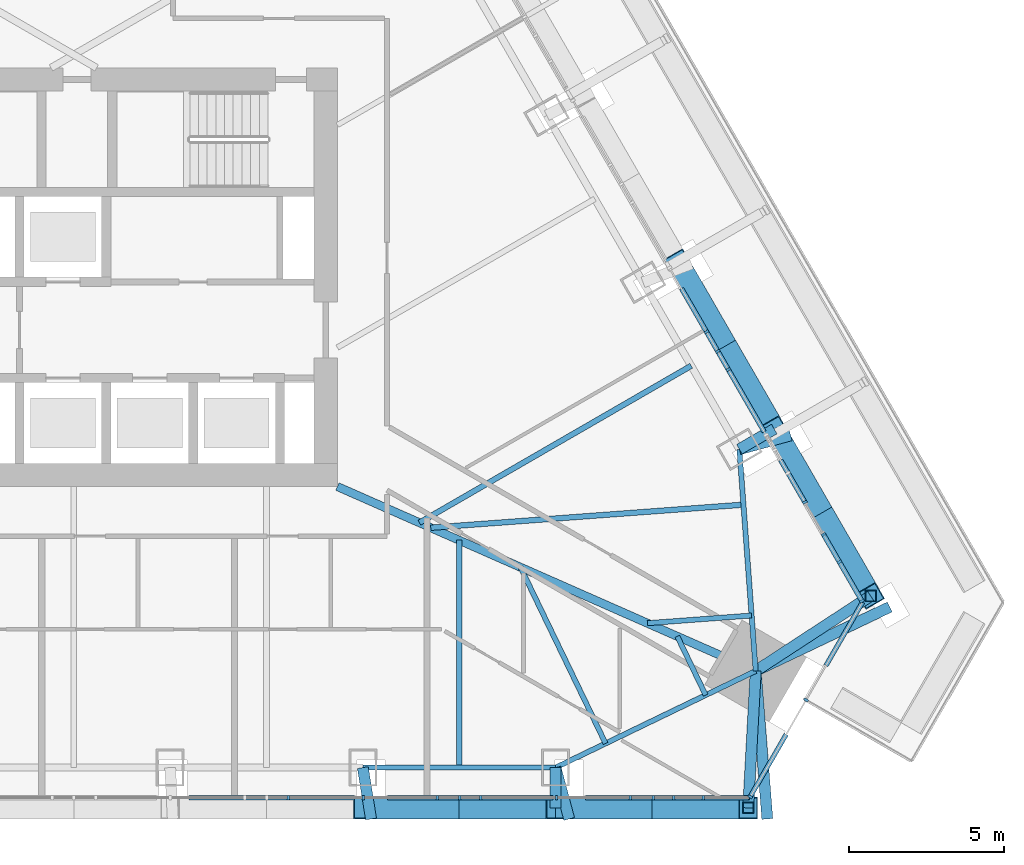
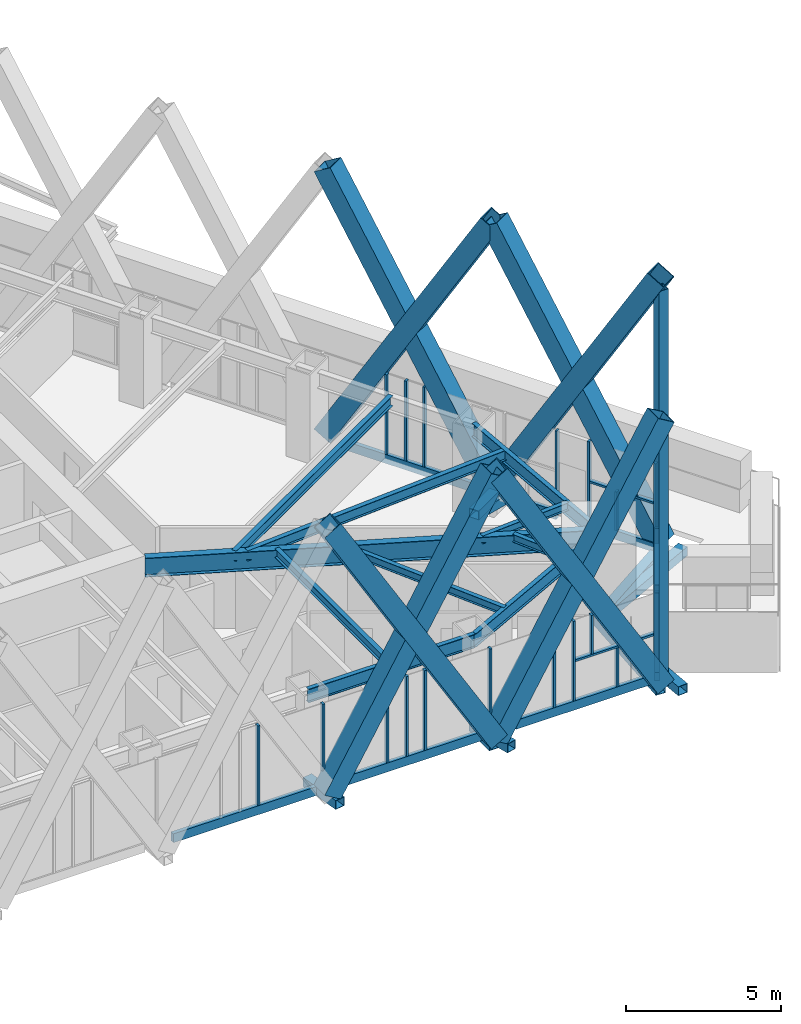
# One storey, part 5 of 23: 48 members, 10 beams, 3 elements without a shape of their own.
"""IFC4 building model written with IfcOpenShell, lengths in metres."""

from ifc_helpers import new_model, si_unit, direction, frame, origin, origin_2d, place, context, subcontext, project, spatial, rectangle, hollow_rectangle, i_section, extrude, material, layer, layer_set, material_profile, profile_set, type_object, element, aggregate, save


model = new_model("IFC4")

# Units and contexts
model_context = context("Model", 3, precision=1e-05, world=origin(), true_north=direction((0.0, 1.0)))
body_context = subcontext(model_context, "Body", "Model", "MODEL_VIEW")
ifc_project = project(units=[si_unit("LENGTHUNIT", "METRE"), si_unit("AREAUNIT", "SQUARE_METRE"), si_unit("VOLUMEUNIT", "CUBIC_METRE"), si_unit("PLANEANGLEUNIT", "RADIAN"), si_unit("MASSUNIT", "GRAM", prefix="KILO")], contexts=[model_context])

# Site, building, storey
site_placement = place(None, origin())
site = spatial("IfcSite", under=ifc_project, at=site_placement, CompositionType="ELEMENT")
building_placement = place(site_placement, origin())
building = spatial("IfcBuilding", under=site, at=building_placement, Name="Firuza Gate Tower and Library", CompositionType="ELEMENT")
storey_placement = place(building_placement, frame((0.0, 0.0, 291.60009765625)))
storey = spatial("IfcBuildingStorey", under=building, at=storey_placement, Name="L70", CompositionType="ELEMENT", Elevation=291.60009765625)

# Members
ifc_material_1 = material(Name="Steel S355", Category="steel")
ifc_material_profile_1 = material_profile(ifc_material_1, hollow_rectangle(XDim=0.699951171875, YDim=0.699951171875, WallThickness=0.030029296875, at=origin_2d()))
ifc_profile_set_1 = profile_set([ifc_material_profile_1], Name="Steel S355")
member_type_1 = type_object("IfcMemberType", Name="BU700x700x30 Lattice brace", PredefinedType="BRACE", material=ifc_profile_set_1)
for number, where, z_axis, x_axis, name in (
    (1, (84.320068359375, 57.8876953125, 0.0), (0.509265848717, 0.0, 0.860609258218), (0.0, 1.0, 0.0), "Lattice brace S 18.6R"),
    (2, (90.533447265625, 57.8876953125, 0.0), (-0.509265848717, 0.0, 0.860609258218), (0.0, -1.0, 0.0), "Lattice brace S 18.6L"),
):
    element("IfcMember", number, at=place(storey_placement, frame(where, z_axis=z_axis, x_axis=x_axis)), inside=storey, type_object=member_type_1, Name=name, PredefinedType="BRACE", context=body_context, shape_type="SweptSolid", body=[
        extrude(hollow_rectangle(XDim=0.699951171875, YDim=0.699951171875, WallThickness=0.030029296875, at=origin_2d()), origin(), (0.0, 0.0, 1.0), 12.20068359375),
    ])
for number, where, z_axis, x_axis, name in (
    (3, (90.533447265625, 57.8876953125, 0.0), (0.509251027788, 0.0, 0.860618028336), (0.0, 1.0, 0.0), "Lattice brace S 18.7R"),
    (4, (96.74658203125, 57.8876953125, 0.0), (-0.509251027788, 0.0, 0.860618028336), (0.0, -1.0, 0.0), "Lattice brace S 18.7L"),
):
    element("IfcMember", number, at=place(storey_placement, frame(where, z_axis=z_axis, x_axis=x_axis)), inside=storey, type_object=member_type_1, Name=name, PredefinedType="BRACE", context=body_context, shape_type="SweptSolid", body=[
        extrude(hollow_rectangle(XDim=0.699951171875, YDim=0.699951171875, WallThickness=0.030029296875, at=origin_2d()), origin(), (0.0, 0.0, 1.0), 12.200439453125),
    ])
for number, where, z_axis, x_axis, name in (
    (5, (100.693115234375, 64.722900390625, 0.0), (-0.254631455847, 0.441047694957, 0.860604294938), (-0.866031822762, -0.49998888184, 0.0), "Lattice brace E 18.1R"),
    (6, (97.58642578125, 70.10400390625, 0.0), (0.254631455847, -0.441047694957, 0.860604294938), (0.866031822762, 0.49998888184, 0.0), "Lattice brace E 18.1L"),
    (7, (97.58642578125, 70.10400390625, 0.0), (-0.254633703079, 0.441031576884, 0.860611890138), (-0.866021999733, -0.500005895944, 0.0), "Lattice brace E 18.2R"),
    (8, (94.479736328125, 75.48486328125, 0.0), (0.254633703079, -0.441031576884, 0.860611890138), (0.866021999733, 0.500005895944, 0.0), "Lattice brace E 18.2L"),
):
    element("IfcMember", number, at=place(storey_placement, frame(where, z_axis=z_axis, x_axis=x_axis)), inside=storey, type_object=member_type_1, Name=name, PredefinedType="BRACE", context=body_context, shape_type="SweptSolid", body=[
        extrude(hollow_rectangle(XDim=0.699951171875, YDim=0.699951171875, WallThickness=0.030029296875, at=origin_2d()), origin(), (0.0, 0.0, 1.0), 12.20068359375),
    ])

# Curtain wall, members
ifc_material_2 = material(Name="Aluminium 6063-T6", Category="aluminium")
ifc_layer_1 = layer(ifc_material_2, 0.14990234375)
ifc_layer_set_1 = layer_set([ifc_layer_1], Name="Unitised curtain wall, residences")
curtain_wall_type_1 = type_object("IfcCurtainWallType", Name="Unitised curtain wall, residences", PredefinedType="NOTDEFINED", material=ifc_layer_set_1)
placement = place(storey_placement, origin())
curtain_wall_1 = element("IfcCurtainWall", 9, at=placement, inside=storey, type_object=curtain_wall_type_1, Name="CW3 L70 S face", PredefinedType="NOTDEFINED")
ifc_material_3 = material(Name="Aluminium 6063-T6", Category="aluminium")
ifc_material_profile_2 = material_profile(ifc_material_3, rectangle(XDim=0.14990234375, YDim=0.080078125, at=origin_2d()))
ifc_profile_set_2 = profile_set([ifc_material_profile_2], Name="Aluminium 6063-T6")
member_type_2 = type_object("IfcMemberType", Name="Curtain wall mullion 80x150", PredefinedType="MULLION", material=ifc_profile_set_2)
member_1_placement = place(storey_placement, frame((84.338623046875, 58.212646484375, 0.14990234375), z_axis=(0.0, 0.0, 1.0), x_axis=(0.0, 1.0, 0.0)))
member_1 = element("IfcMember", 10, at=member_1_placement, type_object=member_type_2, Name="Mullion", PredefinedType="MULLION", context=body_context, shape_type="SweptSolid", body=[
    extrude(rectangle(XDim=0.14990234375, YDim=0.080078125, at=origin_2d()), origin(), (0.0, 0.0, 1.0), 3.14990234375),
])
member_2_placement = place(storey_placement, frame((87.451416015625, 58.212646484375, 0.14990234375), z_axis=(0.0, 0.0, 1.0), x_axis=(0.0, 1.0, 0.0)))
member_2 = element("IfcMember", 11, at=member_2_placement, type_object=member_type_2, Name="Mullion", PredefinedType="MULLION", context=body_context, shape_type="SweptSolid", body=[
    extrude(rectangle(XDim=0.14990234375, YDim=0.080078125, at=origin_2d()), origin(), (0.0, 0.0, 1.0), 3.14990234375),
])
member_3_placement = place(storey_placement, frame((90.564208984375, 58.212646484375, 0.14990234375), z_axis=(0.0, 0.0, 1.0), x_axis=(0.0, 1.0, 0.0)))
member_3 = element("IfcMember", 12, at=member_3_placement, type_object=member_type_2, Name="Mullion", PredefinedType="MULLION", context=body_context, shape_type="SweptSolid", body=[
    extrude(rectangle(XDim=0.14990234375, YDim=0.080078125, at=origin_2d()), origin(), (0.0, 0.0, 1.0), 3.14990234375),
])
member_4_placement = place(storey_placement, frame((93.677001953125, 58.212646484375, 0.14990234375), z_axis=(0.0, 0.0, 1.0), x_axis=(0.0, 1.0, 0.0)))
member_4 = element("IfcMember", 13, at=member_4_placement, type_object=member_type_2, Name="Mullion", PredefinedType="MULLION", context=body_context, shape_type="SweptSolid", body=[
    extrude(rectangle(XDim=0.14990234375, YDim=0.080078125, at=origin_2d()), origin(), (0.0, 0.0, 1.0), 3.14990234375),
])
member_5_placement = place(storey_placement, frame((81.91552734375, 58.212646484375, 0.14990234375), z_axis=(0.0, 0.0, 1.0), x_axis=(0.0, 1.0, 0.0)))
member_5 = element("IfcMember", 14, at=member_5_placement, type_object=member_type_2, Name="Mullion", PredefinedType="MULLION", context=body_context, shape_type="SweptSolid", body=[
    extrude(rectangle(XDim=0.14990234375, YDim=0.080078125, at=origin_2d()), origin(), (0.0, 0.0, 1.0), 3.14990234375),
])
member_6_placement = place(storey_placement, frame((86.724365234375, 58.212646484375, 0.14990234375), z_axis=(0.0, 0.0, 1.0), x_axis=(0.0, 1.0, 0.0)))
member_6 = element("IfcMember", 15, at=member_6_placement, type_object=member_type_2, Name="Mullion", PredefinedType="MULLION", context=body_context, shape_type="SweptSolid", body=[
    extrude(rectangle(XDim=0.14990234375, YDim=0.080078125, at=origin_2d()), origin(), (0.0, 0.0, 1.0), 3.14990234375),
])
member_7_placement = place(storey_placement, frame((88.12890625, 58.212646484375, 0.14990234375), z_axis=(0.0, 0.0, 1.0), x_axis=(0.0, 1.0, 0.0)))
member_7 = element("IfcMember", 16, at=member_7_placement, type_object=member_type_2, Name="Mullion", PredefinedType="MULLION", context=body_context, shape_type="SweptSolid", body=[
    extrude(rectangle(XDim=0.14990234375, YDim=0.080078125, at=origin_2d()), origin(), (0.0, 0.0, 1.0), 3.14990234375),
])
member_8_placement = place(storey_placement, frame((92.937744140625, 58.212646484375, 0.14990234375), z_axis=(0.0, 0.0, 1.0), x_axis=(0.0, 1.0, 0.0)))
member_8 = element("IfcMember", 17, at=member_8_placement, type_object=member_type_2, Name="Mullion", PredefinedType="MULLION", context=body_context, shape_type="SweptSolid", body=[
    extrude(rectangle(XDim=0.14990234375, YDim=0.080078125, at=origin_2d()), origin(), (0.0, 0.0, 1.0), 3.14990234375),
])
member_9_placement = place(storey_placement, frame((95.2978515625, 58.212646484375, 0.14990234375), z_axis=(0.0, 0.0, 1.0), x_axis=(0.0, 1.0, 0.0)))
member_9 = element("IfcMember", 18, at=member_9_placement, type_object=member_type_2, Name="Mullion", PredefinedType="MULLION", context=body_context, shape_type="SweptSolid", body=[
    extrude(rectangle(XDim=0.14990234375, YDim=0.080078125, at=origin_2d()), origin(), (0.0, 0.0, 1.0), 1.534912109375),
])
member_10_placement = place(storey_placement, frame((94.34228515625, 58.212646484375, 1.764892578125), z_axis=(0.0, 0.0, 1.0), x_axis=(0.0, 1.0, 0.0)))
member_10 = element("IfcMember", 19, at=member_10_placement, type_object=member_type_2, Name="Mullion", PredefinedType="MULLION", context=body_context, shape_type="SweptSolid", body=[
    extrude(rectangle(XDim=0.14990234375, YDim=0.080078125, at=origin_2d()), origin(), (0.0, 0.0, 1.0), 1.534912109375),
])

ifc_material_4 = material(Name="Aluminium 6063-T6", Category="aluminium")
ifc_layer_2 = layer(ifc_material_4, 0.14990234375)
ifc_layer_set_2 = layer_set([ifc_layer_2], Name="Corner curtain wall, chamfers")
curtain_wall_type_2 = type_object("IfcCurtainWallType", Name="Corner curtain wall, chamfers", PredefinedType="NOTDEFINED", material=ifc_layer_set_2)
curtain_wall_2 = element("IfcCurtainWall", 20, at=placement, inside=storey, type_object=curtain_wall_type_2, Name="CW4 L70 SE corner", PredefinedType="NOTDEFINED")
member_11_placement = place(storey_placement, frame((96.81005859375, 58.247314453125, 0.14990234375), z_axis=(0.0, 0.0, 1.0), x_axis=(-0.866025403784, 0.5, 0.0)))
member_11 = element("IfcMember", 21, at=member_11_placement, type_object=member_type_2, Name="Mullion", PredefinedType="MULLION", context=body_context, shape_type="SweptSolid", body=[
    extrude(rectangle(XDim=0.14990234375, YDim=0.080078125, at=origin_2d()), origin(), (0.0, 0.0, 1.0), 3.14990234375),
])
member_12_placement = place(storey_placement, frame((98.611572265625, 61.367919921875, 0.14990234375), z_axis=(0.0, 0.0, 1.0), x_axis=(-0.866025403784, 0.5, 0.0)))
member_12 = element("IfcMember", 22, at=member_12_placement, type_object=member_type_2, Name="Mullion", PredefinedType="MULLION", context=body_context, shape_type="SweptSolid", body=[
    extrude(rectangle(XDim=0.14990234375, YDim=0.080078125, at=origin_2d()), origin(), (0.0, 0.0, 1.0), 3.14990234375),
])

curtain_wall_3 = element("IfcCurtainWall", 23, at=placement, inside=storey, type_object=curtain_wall_type_1, Name="CW3 L70 E face", PredefinedType="NOTDEFINED")
member_13_placement = place(storey_placement, frame((100.413330078125, 64.5576171875, 0.14990234375), z_axis=(0.0, 0.0, 1.0), x_axis=(-0.866025403784, -0.5, 0.0)))
member_13 = element("IfcMember", 24, at=member_13_placement, type_object=member_type_2, Name="Mullion", PredefinedType="MULLION", context=body_context, shape_type="SweptSolid", body=[
    extrude(rectangle(XDim=0.14990234375, YDim=0.080078125, at=origin_2d()), origin(), (0.0, 0.0, 1.0), 3.14990234375),
])
member_14_placement = place(storey_placement, frame((99.17333984375, 66.705322265625, 0.14990234375), z_axis=(0.0, 0.0, 1.0), x_axis=(-0.866025403784, -0.5, 0.0)))
member_14 = element("IfcMember", 25, at=member_14_placement, type_object=member_type_2, Name="Mullion", PredefinedType="MULLION", context=body_context, shape_type="SweptSolid", body=[
    extrude(rectangle(XDim=0.14990234375, YDim=0.080078125, at=origin_2d()), origin(), (0.0, 0.0, 1.0), 3.14990234375),
])
member_15_placement = place(storey_placement, frame((98.5732421875, 67.74462890625, 0.14990234375), z_axis=(0.0, 0.0, 1.0), x_axis=(-0.866025403784, -0.5, 0.0)))
member_15 = element("IfcMember", 26, at=member_15_placement, type_object=member_type_2, Name="Mullion", PredefinedType="MULLION", context=body_context, shape_type="SweptSolid", body=[
    extrude(rectangle(XDim=0.14990234375, YDim=0.080078125, at=origin_2d()), origin(), (0.0, 0.0, 1.0), 3.14990234375),
])
member_16_placement = place(storey_placement, frame((95.763916015625, 72.6103515625, 0.14990234375), z_axis=(0.0, 0.0, 1.0), x_axis=(-0.866025403784, -0.5, 0.0)))
member_16 = element("IfcMember", 27, at=member_16_placement, type_object=member_type_2, Name="Mullion", PredefinedType="MULLION", context=body_context, shape_type="SweptSolid", body=[
    extrude(rectangle(XDim=0.14990234375, YDim=0.080078125, at=origin_2d()), origin(), (0.0, 0.0, 1.0), 3.14990234375),
])
member_17_placement = place(storey_placement, frame((99.687255859375, 65.815185546875, 0.14990234375), z_axis=(0.0, 0.0, 1.0), x_axis=(-0.866025403784, -0.5, 0.0)))
member_17 = element("IfcMember", 28, at=member_17_placement, type_object=member_type_2, Name="Mullion", PredefinedType="MULLION", context=body_context, shape_type="SweptSolid", body=[
    extrude(rectangle(XDim=0.14990234375, YDim=0.080078125, at=origin_2d()), origin(), (0.0, 0.0, 1.0), 1.534912109375),
])
member_18_placement = place(storey_placement, frame((96.102783203125, 72.023681640625, 0.14990234375), z_axis=(0.0, 0.0, 1.0), x_axis=(-0.866025403784, -0.5, 0.0)))
member_18 = element("IfcMember", 29, at=member_18_placement, type_object=member_type_2, Name="Mullion", PredefinedType="MULLION", context=body_context, shape_type="SweptSolid", body=[
    extrude(rectangle(XDim=0.14990234375, YDim=0.080078125, at=origin_2d()), origin(), (0.0, 0.0, 1.0), 3.14990234375),
])
member_19_placement = place(storey_placement, frame((95.400390625, 73.239990234375, 0.14990234375), z_axis=(0.0, 0.0, 1.0), x_axis=(-0.866025403784, -0.5, 0.0)))
member_19 = element("IfcMember", 30, at=member_19_placement, type_object=member_type_2, Name="Mullion", PredefinedType="MULLION", context=body_context, shape_type="SweptSolid", body=[
    extrude(rectangle(XDim=0.14990234375, YDim=0.080078125, at=origin_2d()), origin(), (0.0, 0.0, 1.0), 3.14990234375),
])

# Member
ifc_material_5 = material(Name="Aluminium 6063-T6", Category="aluminium")
ifc_material_profile_3 = material_profile(ifc_material_5, rectangle(XDim=0.14990234375, YDim=0.35009765625, at=origin_2d()))
ifc_profile_set_3 = profile_set([ifc_material_profile_3], Name="Aluminium 6063-T6")
member_type_3 = type_object("IfcMemberType", Name="Curtain wall transom 350x150", PredefinedType="USERDEFINED", material=ifc_profile_set_3)
member_20_placement = place(storey_placement, frame((78.72216796875, 58.212646484375, -0.025146484375), z_axis=(1.0, 0.0, 0.0), x_axis=(0.0, 1.0, 0.0)))
member_20 = element("IfcMember", 31, at=member_20_placement, type_object=member_type_3, Name="Transom", ObjectType="TRANSOM", PredefinedType="USERDEFINED", context=body_context, shape_type="SweptSolid", body=[
    extrude(rectangle(XDim=0.14990234375, YDim=0.35009765625, at=origin_2d()), origin(), (0.0, 0.0, 1.0), 5.334228515625),
])

member_21_placement = place(storey_placement, frame((85.111572265625, 58.212646484375, -0.025146484375), z_axis=(1.0, 0.0, 0.0), x_axis=(0.0, 1.0, 0.0)))
member_21 = element("IfcMember", 32, at=member_21_placement, type_object=member_type_3, Name="Transom", ObjectType="TRANSOM", PredefinedType="USERDEFINED", context=body_context, shape_type="SweptSolid", body=[
    extrude(rectangle(XDim=0.14990234375, YDim=0.35009765625, at=origin_2d()), origin(), (0.0, 0.0, 1.0), 5.334228515625),
])

member_22_placement = place(storey_placement, frame((91.5009765625, 58.212646484375, -0.025146484375), z_axis=(1.0, 0.0, 0.0), x_axis=(0.0, 1.0, 0.0)))
member_22 = element("IfcMember", 33, at=member_22_placement, type_object=member_type_3, Name="Transom", ObjectType="TRANSOM", PredefinedType="USERDEFINED", context=body_context, shape_type="SweptSolid", body=[
    extrude(rectangle(XDim=0.14990234375, YDim=0.35009765625, at=origin_2d()), origin(), (0.0, 0.0, 1.0), 5.2890625),
])

member_23_placement = place(storey_placement, frame((96.7900390625, 58.212646484375, -0.025146484375), z_axis=(0.500005632288, 0.866022151957, 0.0), x_axis=(-0.866022151957, 0.500005632288, 0.0)))
member_23 = element("IfcMember", 34, at=member_23_placement, type_object=member_type_3, Name="Transom", ObjectType="TRANSOM", PredefinedType="USERDEFINED", context=body_context, shape_type="SweptSolid", body=[
    extrude(rectangle(XDim=0.14990234375, YDim=0.35009765625, at=origin_2d()), origin(), (0.0, 0.0, 1.0), 2.36328125),
])

member_24_placement = place(storey_placement, frame((99.251708984375, 62.476318359375, -0.025146484375), z_axis=(0.500005632288, 0.866022151957, 0.0), x_axis=(-0.866022151957, 0.500005632288, 0.0)))
member_24 = element("IfcMember", 35, at=member_24_placement, type_object=member_type_3, Name="Transom", ObjectType="TRANSOM", PredefinedType="USERDEFINED", context=body_context, shape_type="SweptSolid", body=[
    extrude(rectangle(XDim=0.14990234375, YDim=0.35009765625, at=origin_2d()), origin(), (0.0, 0.0, 1.0), 2.36328125),
])

aggregate(curtain_wall_2, [member_11, member_12, member_23, member_24])

member_25_placement = place(storey_placement, frame((100.433349609375, 64.52294921875, -0.025146484375), z_axis=(-0.500004791531, 0.866022637375, 0.0), x_axis=(-0.866022637375, -0.500004791531, 0.0)))
member_25 = element("IfcMember", 36, at=member_25_placement, type_object=member_type_3, Name="Transom", ObjectType="TRANSOM", PredefinedType="USERDEFINED", context=body_context, shape_type="SweptSolid", body=[
    extrude(rectangle(XDim=0.14990234375, YDim=0.35009765625, at=origin_2d()), origin(), (0.0, 0.0, 1.0), 2.52001953125),
])

member_26_placement = place(storey_placement, frame((98.5732421875, 67.74462890625, -0.025146484375), z_axis=(-0.499937961795, 0.866061218596, 0.0), x_axis=(-0.866061218596, -0.499937961795, 0.0)))
member_26 = element("IfcMember", 37, at=member_26_placement, type_object=member_type_3, Name="Transom", ObjectType="TRANSOM", PredefinedType="USERDEFINED", context=body_context, shape_type="SweptSolid", body=[
    extrude(rectangle(XDim=0.14990234375, YDim=0.35009765625, at=origin_2d()), origin(), (0.0, 0.0, 1.0), 1.569091796875),
])

member_27_placement = place(storey_placement, frame((97.26123046875, 70.017333984375, -0.025146484375), z_axis=(-0.500012982194, 0.866017908382, 0.0), x_axis=(-0.866017908382, -0.500012982194, 0.0)))
member_27 = element("IfcMember", 38, at=member_27_placement, type_object=member_type_3, Name="Transom", ObjectType="TRANSOM", PredefinedType="USERDEFINED", context=body_context, shape_type="SweptSolid", body=[
    extrude(rectangle(XDim=0.14990234375, YDim=0.35009765625, at=origin_2d()), origin(), (0.0, 0.0, 1.0), 5.334228515625),
])

ifc_material_6 = material(Name="Aluminium 6063-T6", Category="aluminium")
ifc_material_profile_4 = material_profile(ifc_material_6, rectangle(XDim=0.14990234375, YDim=0.080078125, at=origin_2d()))
ifc_profile_set_4 = profile_set([ifc_material_profile_4], Name="Aluminium 6063-T6")
member_type_4 = type_object("IfcMemberType", Name="Curtain wall transom 80x150", PredefinedType="USERDEFINED", material=ifc_profile_set_4)
member_28_placement = place(storey_placement, frame((93.717041015625, 58.212646484375, 1.724853515625), z_axis=(1.0, 0.0, 0.0), x_axis=(0.0, 1.0, 0.0)))
member_28 = element("IfcMember", 39, at=member_28_placement, type_object=member_type_4, Name="Transom", ObjectType="TRANSOM", PredefinedType="USERDEFINED", context=body_context, shape_type="SweptSolid", body=[
    extrude(rectangle(XDim=0.14990234375, YDim=0.080078125, at=origin_2d()), origin(), (0.0, 0.0, 1.0), 3.032958984375),
])

aggregate(curtain_wall_1, [member_1, member_2, member_3, member_4, member_20, member_21, member_22, member_5, member_6, member_7, member_8, member_9, member_10, member_28])

member_29_placement = place(storey_placement, frame((100.413330078125, 64.5576171875, 1.724853515625), z_axis=(-0.500002508028, 0.866023955769, 0.0), x_axis=(-0.866023955769, -0.500002508028, 0.0)))
member_29 = element("IfcMember", 40, at=member_29_placement, type_object=member_type_4, Name="Transom", ObjectType="TRANSOM", PredefinedType="USERDEFINED", context=body_context, shape_type="SweptSolid", body=[
    extrude(rectangle(XDim=0.14990234375, YDim=0.080078125, at=origin_2d()), origin(), (0.0, 0.0, 1.0), 2.43994140625),
])

aggregate(curtain_wall_3, [member_13, member_14, member_15, member_16, member_25, member_26, member_27, member_17, member_29, member_18, member_19])

# Members
ifc_material_7 = material(Name="Steel S355", Category="steel")
ifc_material_profile_5 = material_profile(ifc_material_7, hollow_rectangle(XDim=0.355712890625, YDim=0.355712890625, WallThickness=0.014892578125, at=origin_2d()))
ifc_profile_set_5 = profile_set([ifc_material_profile_5], Name="Steel S355")
member_type_5 = type_object("IfcMemberType", Name="HSS356x356x16 Lattice corner stile", PredefinedType="BRACE", material=ifc_profile_set_5)
for number, where, z_axis, x_axis, name in (
    (41, (96.74658203125, 57.8876953125, -0.14013671875), (0.0, 0.0, 1.0), (1.0, 0.0, 0.0), "Lattice corner stile S 18.B"),
    (42, (100.693115234375, 64.722900390625, -0.14013671875), (0.0, 0.0, 1.0), (1.0, 0.0, 0.0), "Lattice corner stile E 18.A"),
):
    element("IfcMember", number, at=place(storey_placement, frame(where, z_axis=z_axis, x_axis=x_axis)), inside=storey, type_object=member_type_5, Name=name, PredefinedType="BRACE", context=body_context, shape_type="SweptSolid", body=[
        extrude(hollow_rectangle(XDim=0.355712890625, YDim=0.355712890625, WallThickness=0.014892578125, at=origin_2d()), origin(), (0.0, 0.0, 1.0), 10.14013671875),
    ])
ifc_material_8 = material(Name="Steel S355", Category="steel")
ifc_material_profile_6 = material_profile(ifc_material_8, hollow_rectangle(XDim=0.355712890625, YDim=0.355712890625, WallThickness=0.014892578125, at=origin_2d()))
ifc_profile_set_6 = profile_set([ifc_material_profile_6], Name="Steel S355")
member_type_6 = type_object("IfcMemberType", Name="HSS356x356x16 Lattice node tie", PredefinedType="BRACE", material=ifc_profile_set_6)
member_30_placement = place(storey_placement, frame((96.460693359375, 69.453857421875, -0.320068359375), z_axis=(0.965392491391, 0.260801337355, 0.0), x_axis=(-0.260801337355, 0.965392491391, 0.0)))
element("IfcMember", 43, at=member_30_placement, inside=storey, type_object=member_type_6, Name="Lattice node tie E L70 471", PredefinedType="BRACE", context=body_context, shape_type="SweptSolid", body=[
    extrude(hollow_rectangle(XDim=0.355712890625, YDim=0.355712890625, WallThickness=0.014892578125, at=origin_2d()), origin(), (0.0, 0.0, 1.0), 1.713134765625),
])
member_31_placement = place(storey_placement, frame((96.460693359375, 69.453857421875, -0.320068359375), z_axis=(0.86595725628, 0.500118016368, 0.0), x_axis=(-0.500118016368, 0.86595725628, 0.0)))
element("IfcMember", 44, at=member_31_placement, inside=storey, type_object=member_type_6, Name="Lattice node tie E L70 472", PredefinedType="BRACE", context=body_context, shape_type="SweptSolid", body=[
    extrude(hollow_rectangle(XDim=0.355712890625, YDim=0.355712890625, WallThickness=0.014892578125, at=origin_2d()), origin(), (0.0, 0.0, 1.0), 1.300048828125),
])
member_32_placement = place(storey_placement, frame((96.98779296875, 62.305419921875, -0.320068359375), z_axis=(0.902515271089, 0.430657851956, 0.0), x_axis=(-0.430657851956, 0.902515271089, 0.0)))
element("IfcMember", 45, at=member_32_placement, inside=storey, type_object=member_type_6, Name="Lattice node tie E L70 473", PredefinedType="BRACE", context=body_context, shape_type="SweptSolid", body=[
    extrude(hollow_rectangle(XDim=0.355712890625, YDim=0.355712890625, WallThickness=0.014892578125, at=origin_2d()), origin(), (0.0, 0.0, 1.0), 4.7880859375),
])
member_33_placement = place(storey_placement, frame((96.98779296875, 62.305419921875, -0.320068359375), z_axis=(0.837510682777, 0.546420951496, 0.0), x_axis=(-0.546420951496, 0.837510682777, 0.0)))
element("IfcMember", 46, at=member_33_placement, inside=storey, type_object=member_type_6, Name="Lattice node tie E L70 474", PredefinedType="BRACE", context=body_context, shape_type="SweptSolid", body=[
    extrude(hollow_rectangle(XDim=0.355712890625, YDim=0.355712890625, WallThickness=0.014892578125, at=origin_2d()), origin(), (0.0, 0.0, 1.0), 4.42431640625),
])
member_34_placement = place(storey_placement, frame((84.320068359375, 59.187744140625, -0.320068359375), z_axis=(0.157405530455, -0.987534049531, 0.0), x_axis=(0.987534049531, 0.157405530455, 0.0)))
element("IfcMember", 47, at=member_34_placement, inside=storey, type_object=member_type_6, Name="Lattice node tie S L70 482", PredefinedType="BRACE", context=body_context, shape_type="SweptSolid", body=[
    extrude(hollow_rectangle(XDim=0.355712890625, YDim=0.355712890625, WallThickness=0.014892578125, at=origin_2d()), origin(), (0.0, 0.0, 1.0), 1.6767578125),
])
member_35_placement = place(storey_placement, frame((90.533447265625, 59.187744140625, -0.320068359375), z_axis=(0.256793327243, -0.966466340378, 0.0), x_axis=(0.966466340378, 0.256793327243, 0.0)))
element("IfcMember", 48, at=member_35_placement, inside=storey, type_object=member_type_6, Name="Lattice node tie S L70 483", PredefinedType="BRACE", context=body_context, shape_type="SweptSolid", body=[
    extrude(hollow_rectangle(XDim=0.355712890625, YDim=0.355712890625, WallThickness=0.014892578125, at=origin_2d()), origin(), (0.0, 0.0, 1.0), 1.713134765625),
])
member_36_placement = place(storey_placement, frame((90.533447265625, 59.187744140625, -0.320068359375), z_axis=(0.0, -1.0, 0.0), x_axis=(1.0, 0.0, 0.0)))
element("IfcMember", 49, at=member_36_placement, inside=storey, type_object=member_type_6, Name="Lattice node tie S L70 484", PredefinedType="BRACE", context=body_context, shape_type="SweptSolid", body=[
    extrude(hollow_rectangle(XDim=0.355712890625, YDim=0.355712890625, WallThickness=0.014892578125, at=origin_2d()), origin(), (0.0, 0.0, 1.0), 1.300048828125),
])
member_37_placement = place(storey_placement, frame((96.98779296875, 62.305419921875, -0.320068359375), z_axis=(0.078267757464, -0.996932373906, 0.0), x_axis=(0.996932373906, 0.078267757464, 0.0)))
element("IfcMember", 50, at=member_37_placement, inside=storey, type_object=member_type_6, Name="Lattice node tie S L70 485", PredefinedType="BRACE", context=body_context, shape_type="SweptSolid", body=[
    extrude(hollow_rectangle(XDim=0.355712890625, YDim=0.355712890625, WallThickness=0.014892578125, at=origin_2d()), origin(), (0.0, 0.0, 1.0), 4.7880859375),
])
member_38_placement = place(storey_placement, frame((96.98779296875, 62.305419921875, -0.320068359375), z_axis=(-0.054519511079, -0.998512705433, 0.0), x_axis=(0.998512705433, -0.054519511079, 0.0)))
element("IfcMember", 51, at=member_38_placement, inside=storey, type_object=member_type_6, Name="Lattice node tie S L70 486", PredefinedType="BRACE", context=body_context, shape_type="SweptSolid", body=[
    extrude(hollow_rectangle(XDim=0.355712890625, YDim=0.355712890625, WallThickness=0.014892578125, at=origin_2d()), origin(), (0.0, 0.0, 1.0), 4.42431640625),
])

# Beams
ifc_material_9 = material(Name="Steel S355", Category="steel")
ifc_material_profile_7 = material_profile(ifc_material_9, i_section(OverallWidth=0.1650390625, OverallDepth=0.31005859375, WebThickness=0.005859375, FlangeThickness=0.009765625, at=origin_2d()))
ifc_profile_set_7 = profile_set([ifc_material_profile_7], Name="Steel S355")
beam_type_1 = type_object("IfcBeamType", Name="W310x39 Floor beam", PredefinedType="JOIST", material=ifc_profile_set_7)
beam_1_placement = place(storey_placement, frame((92.14697265625, 59.967041015625, 3.14501953125), z_axis=(-0.434960061589, 0.900449745862, 0.0), x_axis=(-0.900449745862, -0.434960061589, 0.0)))
element("IfcBeam", 52, at=beam_1_placement, inside=storey, type_object=beam_type_1, Name="Floor beam L70 s30", PredefinedType="JOIST", context=body_context, shape_type="SweptSolid", body=[
    extrude(i_section(OverallWidth=0.1650390625, OverallDepth=0.31005859375, WebThickness=0.005859375, FlangeThickness=0.009765625, at=origin_2d()), origin(), (0.0, 0.0, 1.0), 6.3095703125),
])
beam_2_placement = place(storey_placement, frame((95.374267578125, 61.52587890625, 3.14501953125), z_axis=(-0.434960061589, 0.900449745862, 0.0), x_axis=(-0.900449745862, -0.434960061589, 0.0)))
element("IfcBeam", 53, at=beam_2_placement, inside=storey, type_object=beam_type_1, Name="Floor beam L70 s31", PredefinedType="JOIST", context=body_context, shape_type="SweptSolid", body=[
    extrude(i_section(OverallWidth=0.1650390625, OverallDepth=0.31005859375, WebThickness=0.005859375, FlangeThickness=0.009765625, at=origin_2d()), origin(), (0.0, 0.0, 1.0), 2.103271484375),
])
beam_3_placement = place(storey_placement, frame((96.85595703125, 64.092529296875, 3.14501953125), z_axis=(-0.997292409208, -0.073538089019, 0.0), x_axis=(0.073538089019, -0.997292409208, 0.0)))
element("IfcBeam", 54, at=beam_3_placement, inside=storey, type_object=beam_type_1, Name="Floor beam L70 s40", PredefinedType="JOIST", context=body_context, shape_type="SweptSolid", body=[
    extrude(i_section(OverallWidth=0.1650390625, OverallDepth=0.31005859375, WebThickness=0.005859375, FlangeThickness=0.009765625, at=origin_2d()), origin(), (0.0, 0.0, 1.0), 3.36962890625),
])
ifc_material_10 = material(Name="Steel S355", Category="steel")
ifc_material_profile_8 = material_profile(ifc_material_10, i_section(OverallWidth=0.1708984375, OverallDepth=0.35498046875, WebThickness=0.007080078125, FlangeThickness=0.01171875, at=origin_2d()))
ifc_profile_set_8 = profile_set([ifc_material_profile_8], Name="Steel S355")
beam_type_2 = type_object("IfcBeamType", Name="W360x51 Floor beam", PredefinedType="JOIST", material=ifc_profile_set_8)
beam_4_placement = place(storey_placement, frame((87.4267578125, 59.187744140625, 3.122314453125), z_axis=(0.0, 1.0, 0.0), x_axis=(-1.0, 0.0, 0.0)))
element("IfcBeam", 55, at=beam_4_placement, inside=storey, type_object=beam_type_2, Name="Floor beam L70 s24", PredefinedType="JOIST", context=body_context, shape_type="SweptSolid", body=[
    extrude(i_section(OverallWidth=0.1708984375, OverallDepth=0.35498046875, WebThickness=0.007080078125, FlangeThickness=0.01171875, at=origin_2d()), origin(), (0.0, 0.0, 1.0), 7.33154296875),
])
ifc_material_11 = material(Name="Steel S355", Category="steel")
ifc_material_profile_9 = material_profile(ifc_material_11, i_section(OverallWidth=0.177978515625, OverallDepth=0.406982421875, WebThickness=0.0078125, FlangeThickness=0.0126953125, at=origin_2d()))
ifc_profile_set_9 = profile_set([ifc_material_profile_9], Name="Steel S355")
beam_type_3 = type_object("IfcBeamType", Name="W410x60 Floor beam", PredefinedType="JOIST", material=ifc_profile_set_9)
beam_5_placement = place(storey_placement, frame((96.59228515625, 67.666748046875, 3.096435546875), z_axis=(-0.997290637753, -0.073562108793, 0.0), x_axis=(0.073562108793, -0.997290637753, 0.0)))
element("IfcBeam", 56, at=beam_5_placement, inside=storey, type_object=beam_type_3, Name="Floor beam L70 s41", PredefinedType="JOIST", context=body_context, shape_type="SweptSolid", body=[
    extrude(i_section(OverallWidth=0.177978515625, OverallDepth=0.406982421875, WebThickness=0.0078125, FlangeThickness=0.0126953125, at=origin_2d()), origin(), (0.0, 0.0, 1.0), 10.109130859375),
])
beam_6_placement = place(storey_placement, frame((94.9072265625, 72.144287109375, 3.096435546875), z_axis=(-0.866025277505, -0.500000218722, 0.0), x_axis=(0.500000218722, -0.866025277505, 0.0)))
element("IfcBeam", 57, at=beam_6_placement, inside=storey, type_object=beam_type_3, Name="Floor beam L70 s50", PredefinedType="JOIST", context=body_context, shape_type="SweptSolid", body=[
    extrude(i_section(OverallWidth=0.177978515625, OverallDepth=0.406982421875, WebThickness=0.0078125, FlangeThickness=0.0126953125, at=origin_2d()), origin(), (0.0, 0.0, 1.0), 10.119140625),
])
ifc_material_12 = material(Name="Steel S355", Category="steel")
ifc_material_profile_10 = material_profile(ifc_material_12, i_section(OverallWidth=0.166015625, OverallDepth=0.534912109375, WebThickness=0.01025390625, FlangeThickness=0.0166015625, at=origin_2d()))
ifc_profile_set_10 = profile_set([ifc_material_profile_10], Name="Steel S355")
beam_type_4 = type_object("IfcBeamType", Name="W530x85 Edge beam", PredefinedType="SPANDREL", material=ifc_profile_set_10)
beam_7_placement = place(storey_placement, frame((84.320068359375, 59.187744140625, 3.032470703125), z_axis=(1.0, 0.0, 0.0), x_axis=(0.0, 1.0, 0.0)))
element("IfcBeam", 58, at=beam_7_placement, inside=storey, type_object=beam_type_4, Name="Edge beam L70 e24", PredefinedType="SPANDREL", context=body_context, shape_type="SweptSolid", body=[
    extrude(i_section(OverallWidth=0.166015625, OverallDepth=0.534912109375, WebThickness=0.01025390625, FlangeThickness=0.0166015625, at=origin_2d()), origin(), (0.0, 0.0, 1.0), 6.21337890625),
])
beam_8_placement = place(storey_placement, frame((90.533447265625, 59.187744140625, 3.032470703125), z_axis=(0.900454129451, 0.434950986613, 0.0), x_axis=(-0.434950986613, 0.900454129451, 0.0)))
element("IfcBeam", 59, at=beam_8_placement, inside=storey, type_object=beam_type_4, Name="Edge beam L70 e30", PredefinedType="SPANDREL", context=body_context, shape_type="SweptSolid", body=[
    extrude(i_section(OverallWidth=0.166015625, OverallDepth=0.534912109375, WebThickness=0.01025390625, FlangeThickness=0.0166015625, at=origin_2d()), origin(), (0.0, 0.0, 1.0), 7.16796875),
])
beam_9_placement = place(storey_placement, frame((96.98779296875, 62.305419921875, 3.032470703125), z_axis=(-0.073536698526, 0.997292511739, 0.0), x_axis=(-0.997292511739, -0.073536698526, 0.0)))
element("IfcBeam", 60, at=beam_9_placement, inside=storey, type_object=beam_type_4, Name="Edge beam L70 e40", PredefinedType="SPANDREL", context=body_context, shape_type="SweptSolid", body=[
    extrude(i_section(OverallWidth=0.166015625, OverallDepth=0.534912109375, WebThickness=0.01025390625, FlangeThickness=0.0166015625, at=origin_2d()), origin(), (0.0, 0.0, 1.0), 7.167724609375),
])
ifc_material_13 = material(Name="Steel S355", Category="steel")
ifc_material_profile_11 = material_profile(ifc_material_13, i_section(OverallWidth=0.264892578125, OverallDepth=0.7529296875, WebThickness=0.01318359375, FlangeThickness=0.01708984375, at=origin_2d()))
ifc_profile_set_11 = profile_set([ifc_material_profile_11], Name="Steel S355")
beam_type_5 = type_object("IfcBeamType", Name="W760x147 Girder", PredefinedType="BEAM", material=ifc_profile_set_11)
beam_10_placement = place(storey_placement, frame((96.98779296875, 62.305419921875, 2.92333984375), z_axis=(-0.915065983609, 0.403304160209, 0.0), x_axis=(-0.403304160209, -0.915065983609, 0.0)))
element("IfcBeam", 61, at=beam_10_placement, inside=storey, type_object=beam_type_5, Name="Girder L70 gSE", PredefinedType="BEAM", context=body_context, shape_type="SweptSolid", body=[
    extrude(i_section(OverallWidth=0.264892578125, OverallDepth=0.7529296875, WebThickness=0.01318359375, FlangeThickness=0.01708984375, at=origin_2d()), origin(), (0.0, 0.0, 1.0), 14.73974609375),
])

save(model, "model.ifc")
